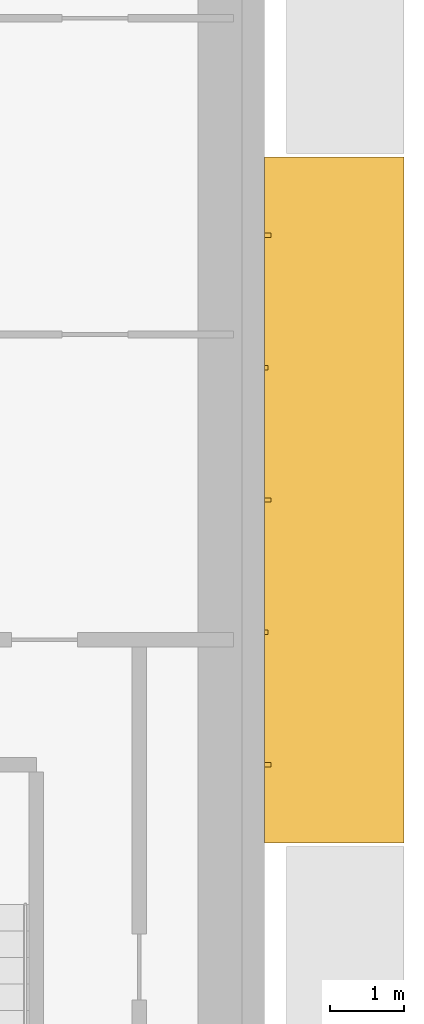
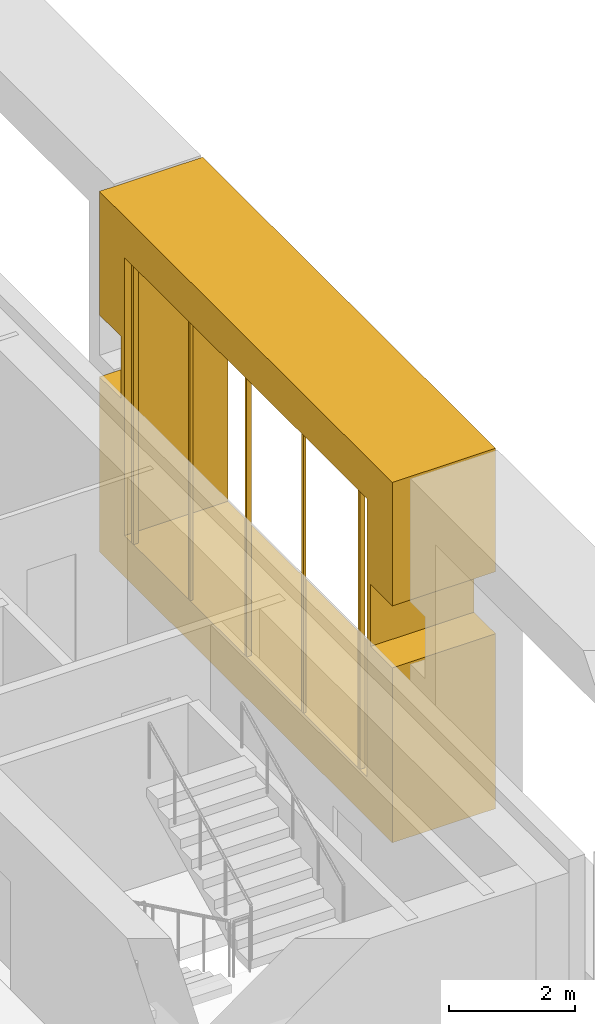
# One storey, part 17 of 19: 6 coverings.
"""IFC4 building model written with IfcOpenShell, lengths in metres."""

from ifc_helpers import new_model, si_unit, direction, frame, origin, origin_2d, place, context, subcontext, project, spatial, polyline, rectangle, outline, extrude, material, type_object, element, save


model = new_model("IFC4")

# Units and contexts
model_context = context("Model", 3, precision=1e-05, world=origin(), true_north=direction((0.0, 1.0)))
body_context = subcontext(model_context, "Body", "Model", "MODEL_VIEW")
ifc_project = project(units=[si_unit("LENGTHUNIT", "METRE"), si_unit("AREAUNIT", "SQUARE_METRE"), si_unit("VOLUMEUNIT", "CUBIC_METRE"), si_unit("PLANEANGLEUNIT", "RADIAN"), si_unit("MASSUNIT", "GRAM", prefix="KILO")], contexts=[model_context])

# Site, building, storey
site_placement = place(None, origin())
site = spatial("IfcSite", under=ifc_project, at=site_placement, CompositionType="ELEMENT")
building_placement = place(site_placement, origin())
building = spatial("IfcBuilding", under=site, at=building_placement, Name="Cobrizo Arcos Hotel Tower", CompositionType="ELEMENT")
storey_placement = place(building_placement, frame((0.0, 0.0, 103.0)))
storey = spatial("IfcBuildingStorey", under=building, at=storey_placement, Name="L25", CompositionType="ELEMENT", Elevation=103.0)

# Coverings
ifc_material_1 = material(Name="Aluminium 6063-T6 anodised bronze", Category="aluminium")
covering_type_1 = type_object("IfcCoveringType", Name="FIN-F 1900", PredefinedType="CLADDING", material=ifc_material_1)
covering_placement = place(storey_placement, frame((23.10009765625, -4.66259765625, 0.0), z_axis=(1.0, 0.0, 0.0), x_axis=(0.0, 1.0, 0.0)))
element("IfcCovering", 1, at=covering_placement, inside=storey, type_object=covering_type_1, Name="Fin frame 113", PredefinedType="CLADDING", context=body_context, shape_type="SweptSolid", body=[
    extrude(outline(polyline([(9.324951171875, 0.0), (9.324951171875, 3.39794921875), (8.635498046875, 3.39794921875), (8.635498046875, 4.60205078125), (9.324951171875, 4.60205078125), (9.324951171875, 7.0), (0.0, 7.0), (0.0, 4.60205078125), (0.689453125, 4.60205078125), (0.689453125, 3.39794921875), (0.0, 3.39794921875), (0.0, 0.0), (9.324951171875, 0.0)]), holes=[polyline([(8.52490234375, 0.800048828125), (0.800048828125, 0.800048828125), (0.800048828125, 6.199951171875), (8.52490234375, 6.199951171875), (8.52490234375, 0.800048828125)])]), origin(), (0.0, 0.0, 1.0), 1.89990234375),
])
ifc_material_2 = material(Name="Aluminium 6063-T6 anodised pale", Category="aluminium")
covering_type_2 = type_object("IfcCoveringType", Name="RS-1 rainscreen rib 60x90", PredefinedType="CLADDING", material=ifc_material_2)
for number, where, z_axis, x_axis, name in (
    (2, (23.14501953125, -3.60009765625, 0.800048828125), (0.0, 0.0, 1.0), (0.0, 1.0, 0.0), "Rainscreen rib 134"),
    (3, (23.14501953125, 0.0, 0.800048828125), (0.0, 0.0, 1.0), (0.0, 1.0, 0.0), "Rainscreen rib 136"),
    (4, (23.14501953125, 3.60009765625, 0.800048828125), (0.0, 0.0, 1.0), (0.0, 1.0, 0.0), "Rainscreen rib 138"),
):
    element("IfcCovering", number, at=place(storey_placement, frame(where, z_axis=z_axis, x_axis=x_axis)), inside=storey, type_object=covering_type_2, Name=name, PredefinedType="CLADDING", context=body_context, shape_type="SweptSolid", body=[
        extrude(rectangle(XDim=0.06005859375, YDim=0.090087890625, at=origin_2d()), origin(), (0.0, 0.0, 1.0), 5.39990234375),
    ])
covering_type_3 = type_object("IfcCoveringType", Name="RS-2 rainscreen rib 60x50", PredefinedType="CLADDING", material=ifc_material_2)
for number, where, z_axis, x_axis, name in (
    (5, (23.125, -1.800048828125, 0.800048828125), (0.0, 0.0, 1.0), (0.0, 1.0, 0.0), "Rainscreen rib 135"),
    (6, (23.125, 1.800048828125, 0.800048828125), (0.0, 0.0, 1.0), (0.0, 1.0, 0.0), "Rainscreen rib 137"),
):
    element("IfcCovering", number, at=place(storey_placement, frame(where, z_axis=z_axis, x_axis=x_axis)), inside=storey, type_object=covering_type_3, Name=name, PredefinedType="CLADDING", context=body_context, shape_type="SweptSolid", body=[
        extrude(rectangle(XDim=0.06005859375, YDim=0.050048828125, at=origin_2d()), origin(), (0.0, 0.0, 1.0), 5.39990234375),
    ])

save(model, "model.ifc")
